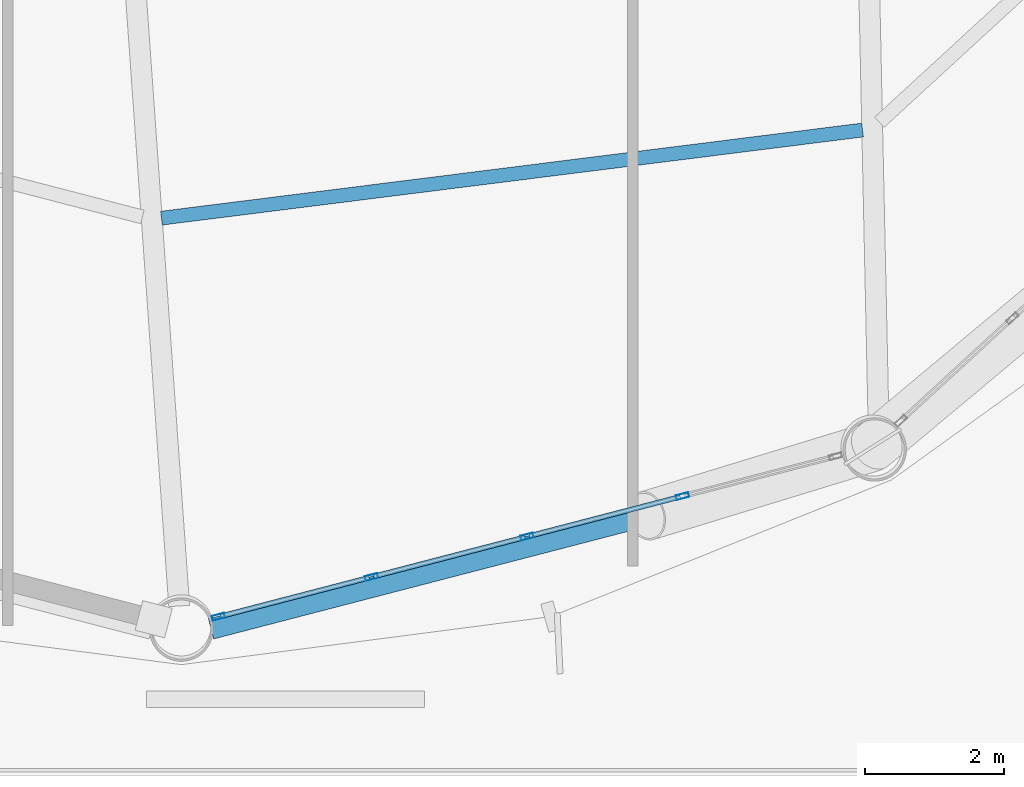
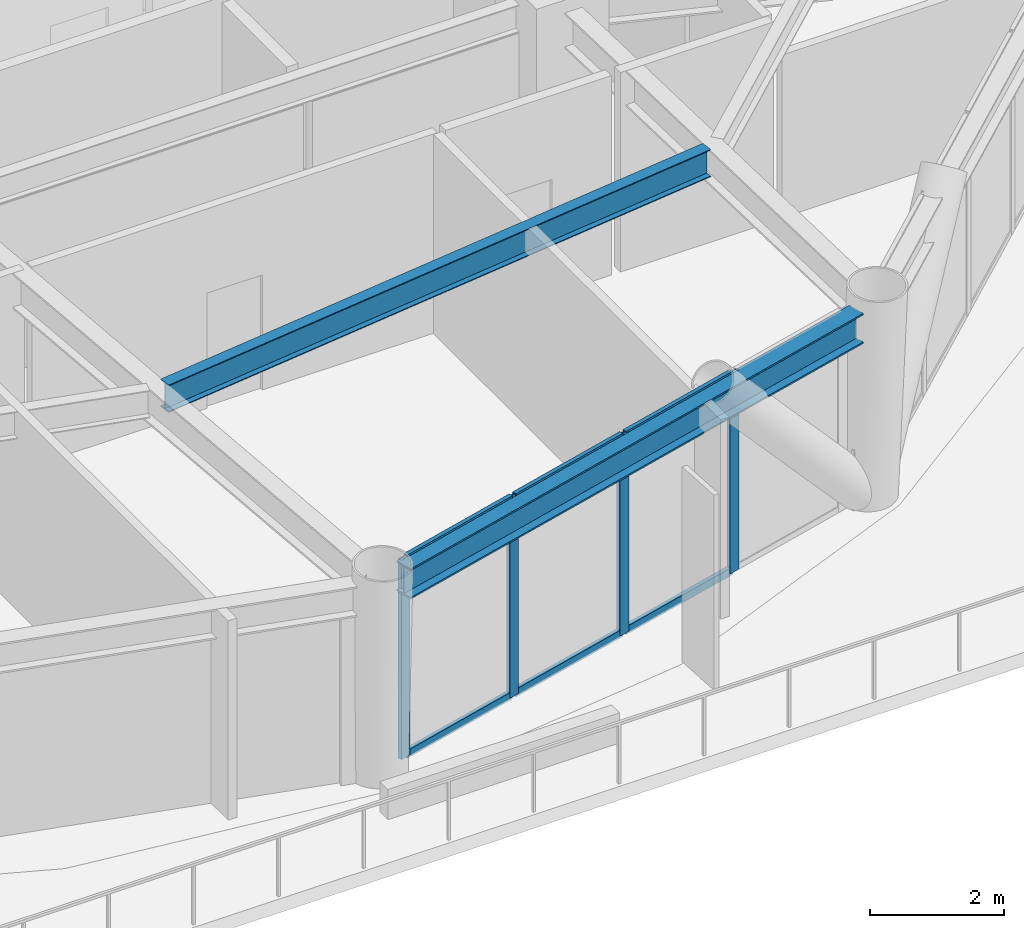
# One storey, part 5 of 24: 10 members, 2 beams, 1 element without a shape of its own.
"""IFC4 building model written with IfcOpenShell, lengths in metres."""

import ifcopenshell
import ifcopenshell.guid

model = None  # the IFC model being written
_history = None  # IfcOwnerHistory: only IFC2X3 demands one
_inside = {}  # id of a spatial element -> (the spatial element, [elements in it])
_under = {}  # id of a project, library or spatial element -> (it, [spatial elements below it])
_declared = {}  # id of a project -> (the project, [libraries it declares])
_typed = {}  # id of a type object -> (the type object, [elements of that type])
_made_of = {}  # id of a material, layer set ... -> (it, [elements and type objects made of it])


def new_model(schema):
    """Start an empty IFC model of exactly this schema.

    Asked for "IFC4X3", IfcOpenShell would pick the latest addendum, in which some entities
    have other attributes; the version numbers below select the first issue.
    IFC2X3 requires an IfcOwnerHistory on every rooted entity: one is made here for all.
    """
    global model, _history
    if schema == "IFC4X3":
        model = ifcopenshell.file(schema_version=(4, 3, 0, 0))
    else:
        model = ifcopenshell.file(schema=schema)
    _inside.clear()
    _under.clear()
    _declared.clear()
    _typed.clear()
    _made_of.clear()
    _history = None
    if model.schema == "IFC2X3":
        org = make("IfcOrganization", Name="unknown")
        user = make(
            "IfcPersonAndOrganization",
            ThePerson=make("IfcPerson", FamilyName="unknown"),
            TheOrganization=org,
        )
        app = make(
            "IfcApplication",
            ApplicationDeveloper=org,
            Version="unknown",
            ApplicationFullName="unknown",
            ApplicationIdentifier="unknown",
        )
        _history = make(
            "IfcOwnerHistory",
            OwningUser=user,
            OwningApplication=app,
            ChangeAction="ADDED",
            CreationDate=0,
        )
    return model


def make(cls, **values):
    """One entity of the class cls with the attributes given. An attribute that is None is left unset."""
    return model.create_entity(
        cls, **{name: value for name, value in values.items() if value is not None}
    )


def rooted(cls, **values):
    """An entity with a GlobalId (a new one), such as an element, a storey or a relation."""
    return make(cls, GlobalId=ifcopenshell.guid.new(), OwnerHistory=_history, **values)


def si_unit(unit_type, name, prefix=None):
    """IfcSIUnit, for example si_unit("LENGTHUNIT", "METRE", prefix="MILLI")."""
    return make("IfcSIUnit", UnitType=unit_type, Prefix=prefix, Name=name)


def assignment(units):
    """IfcUnitAssignment: the units of a project."""
    return None if units is None else make("IfcUnitAssignment", Units=units)


def point(xyz):
    """IfcCartesianPoint."""
    return None if xyz is None else make("IfcCartesianPoint", Coordinates=xyz)


def direction(xyz):
    """IfcDirection."""
    return None if xyz is None else make("IfcDirection", DirectionRatios=xyz)


def frame(location, z_axis=None, x_axis=None):
    """IfcAxis2Placement3D, a coordinate frame: its origin and axes. An axis left out is left unset."""
    return make(
        "IfcAxis2Placement3D",
        Location=point(location),
        Axis=direction(z_axis),
        RefDirection=direction(x_axis),
    )


def frame_2d(location, x_axis=None):
    """IfcAxis2Placement2D, a coordinate frame in the plane: its origin and x axis."""
    return make(
        "IfcAxis2Placement2D", Location=point(location), RefDirection=direction(x_axis)
    )


def origin():
    """The frame at (0, 0, 0) with its axes left unset."""
    return frame((0.0, 0.0, 0.0))


def origin_2d():
    """The frame at (0, 0) in the plane with its x axis left unset."""
    return frame_2d((0.0, 0.0))


def place(relative_to, where):
    """IfcLocalPlacement: puts the frame where relative to a parent placement (None: the world)."""
    return make(
        "IfcLocalPlacement", PlacementRelTo=relative_to, RelativePlacement=where
    )


def context(
    kind, dimensions, precision=None, world=None, true_north=None, identifier=None
):
    """IfcGeometricRepresentationContext, for example the 3D "Model" context."""
    return make(
        "IfcGeometricRepresentationContext",
        ContextIdentifier=identifier,
        ContextType=kind,
        CoordinateSpaceDimension=dimensions,
        Precision=precision,
        WorldCoordinateSystem=world,
        TrueNorth=true_north,
    )


def subcontext(parent, identifier, kind, view, scale=None):
    """IfcGeometricRepresentationSubContext, for example "Body" below "Model"."""
    return make(
        "IfcGeometricRepresentationSubContext",
        ContextIdentifier=identifier,
        ContextType=kind,
        ParentContext=parent,
        TargetScale=scale,
        TargetView=view,
    )


def project(units=None, contexts=None):
    """IfcProject with its units and contexts."""
    return rooted(
        "IfcProject",
        Name="project",
        RepresentationContexts=contexts,
        UnitsInContext=assignment(units),
    )


def spatial(cls, under=None, at=None, **own):
    """A site, building, storey or space (cls), placed at a placement, below another one or the project."""
    s = rooted(cls, ObjectPlacement=at, **own)
    if under is not None:
        _under.setdefault(under.id(), (under, []))[1].append(s)
    return s


def profile(cls, at=None, kind="AREA", **sizes):
    """A parametric profile (cls). Its sizes go by their IFC names, for example OverallWidth=200.0."""
    return make(cls, ProfileType=kind, Position=at, **sizes)


def hollow_rectangle(**sizes):
    """IfcRectangleHollowProfileDef."""
    return profile("IfcRectangleHollowProfileDef", **sizes)


def i_section(**sizes):
    """IfcIShapeProfileDef."""
    return profile("IfcIShapeProfileDef", **sizes)


def extrude(swept, where, along, depth):
    """IfcExtrudedAreaSolid: the profile swept, set in the frame where, extruded along a direction by depth."""
    return make(
        "IfcExtrudedAreaSolid",
        SweptArea=swept,
        Position=where,
        ExtrudedDirection=direction(along),
        Depth=depth,
    )


def shape(context_of_items, identifier, shape_type, items):
    """IfcShapeRepresentation: the items that make up one representation, for example the "Body"."""
    return make(
        "IfcShapeRepresentation",
        ContextOfItems=context_of_items,
        RepresentationIdentifier=identifier,
        RepresentationType=shape_type,
        Items=items,
    )


def material(Name=None, Category=None):
    """IfcMaterial."""
    return make("IfcMaterial", Name=Name, Category=Category)


def layer(
    of_material, thickness, ventilated=None, Name=None, Category=None, Priority=None
):
    """IfcMaterialLayer: one layer of a wall or slab, of a material (None: an air gap)."""
    return make(
        "IfcMaterialLayer",
        Material=of_material,
        LayerThickness=thickness,
        IsVentilated=ventilated,
        Name=Name,
        Category=Category,
        Priority=Priority,
    )


def layer_set(layers, Name=None):
    """IfcMaterialLayerSet."""
    return make("IfcMaterialLayerSet", MaterialLayers=layers, LayerSetName=Name)


def material_profile(
    of_material, cross_section, Name=None, Category=None, Priority=None
):
    """IfcMaterialProfile: a cross section and its material."""
    return make(
        "IfcMaterialProfile",
        Name=Name,
        Material=of_material,
        Profile=cross_section,
        Priority=Priority,
        Category=Category,
    )


def profile_set(profiles, Name=None, composite=None):
    """IfcMaterialProfileSet."""
    return make(
        "IfcMaterialProfileSet",
        Name=Name,
        MaterialProfiles=profiles,
        CompositeProfile=composite,
    )


def made_of(thing, what):
    """Note that an element or type object is made of a material, layer set ...; save() writes the relation."""
    if what is not None:
        _made_of.setdefault(what.id(), (what, []))[1].append(thing)
    return thing


def type_object(cls, material=None, **own):
    """A type object (cls), such as IfcWallType, which elements share."""
    return made_of(rooted(cls, **own), material)


def element(
    cls,
    number,
    at=None,
    inside=None,
    cuts=None,
    type_object=None,
    material=None,
    context=None,
    identifier="Body",
    shape_type=None,
    held_by="IfcProductDefinitionShape",
    body=None,
    shapes=None,
    **own,
):
    """One element of the class cls, such as IfcWall. Its Tag is "e" and its number.

    at: its placement. inside: the storey or other place that contains it. cuts: it is an
    opening in that element (IfcRelVoidsElement). A single representation is given by context,
    identifier, shape_type and body (its items); several are given by shapes. held_by: the class
    of the entity that holds the representations. save() writes the other relations.
    """
    e = rooted(cls, Tag="e%d" % number, ObjectPlacement=at, **own)
    if body is not None:
        shapes = [shape(context, identifier, shape_type, body)]
    if shapes is not None:
        e.Representation = make(held_by, Representations=shapes)
    if inside is not None:
        _inside.setdefault(inside.id(), (inside, []))[1].append(e)
    if cuts is not None:
        rooted(
            "IfcRelVoidsElement", RelatingBuildingElement=cuts, RelatedOpeningElement=e
        )
    if type_object is not None:
        _typed.setdefault(type_object.id(), (type_object, []))[1].append(e)
    return made_of(e, material)


def aggregate(whole, parts):
    """IfcRelAggregates: a whole, such as a stair, and the parts it consists of."""
    return rooted("IfcRelAggregates", RelatingObject=whole, RelatedObjects=parts)


def save(model, path):
    """Write the relations noted so far, then the file.

    IfcRelAggregates (storeys below a building ...), IfcRelContainedInSpatialStructure (elements
    in a storey), IfcRelDefinesByType, IfcRelAssociatesMaterial and IfcRelDeclares: one each for
    every whole, place, type object, material and project.
    """
    for whole, parts in _under.values():
        aggregate(whole, parts)
    for where, things in _inside.values():
        rooted(
            "IfcRelContainedInSpatialStructure",
            RelatedElements=things,
            RelatingStructure=where,
        )
    for kind, things in _typed.values():
        rooted("IfcRelDefinesByType", RelatedObjects=things, RelatingType=kind)
    for what, things in _made_of.values():
        rooted("IfcRelAssociatesMaterial", RelatedObjects=things, RelatingMaterial=what)
    for by, libraries in _declared.values():
        rooted("IfcRelDeclares", RelatingContext=by, RelatedDefinitions=libraries)
    model.write(path)


model = new_model("IFC4")

# Units and contexts
model_context = context("Model", 3, precision=1e-05, world=origin(), true_north=direction((0.0, 1.0)))
body_context = subcontext(model_context, "Body", "Model", "MODEL_VIEW")
ifc_project = project(units=[si_unit("LENGTHUNIT", "METRE"), si_unit("AREAUNIT", "SQUARE_METRE"), si_unit("VOLUMEUNIT", "CUBIC_METRE"), si_unit("PLANEANGLEUNIT", "RADIAN"), si_unit("MASSUNIT", "GRAM", prefix="KILO")], contexts=[model_context])

# Site, building, storey
site_placement = place(None, origin())
site = spatial("IfcSite", under=ifc_project, at=site_placement, CompositionType="ELEMENT")
building_placement = place(site_placement, origin())
building = spatial("IfcBuilding", under=site, at=building_placement, Name="Varnakorn Sky Granary", CompositionType="ELEMENT")
storey_placement = place(building_placement, frame((0.0, 0.0, 27.60009765625)))
storey = spatial("IfcBuildingStorey", under=building, at=storey_placement, Name="L06", CompositionType="ELEMENT", Elevation=27.60009765625)

# Beams
ifc_material_1 = material(Name="Steel S355JR", Category="steel")
ifc_material_profile_1 = material_profile(ifc_material_1, i_section(OverallWidth=0.199951171875, OverallDepth=0.5, WebThickness=0.01025390625, FlangeThickness=0.01611328125, at=origin_2d()), Name="IPE 500")
ifc_profile_set_1 = profile_set([ifc_material_profile_1], Name="Steel S355JR")
beam_type_1 = type_object("IfcBeamType", Name="BM-SEC-Z1", PredefinedType="BEAM", material=ifc_profile_set_1)
beam_1_placement = place(storey_placement, frame((-1.786865234375, -12.569580078125, 3.389892578125), z_axis=(0.992193136743, 0.124710783017, 0.0), x_axis=(-0.124710783017, 0.992193136743, 0.0)))
element("IfcBeam", 1, at=beam_1_placement, inside=storey, type_object=beam_type_1, Name="Secondary Floor Chord Beam MSB10 L06", PredefinedType="BEAM", context=body_context, shape_type="SweptSolid", body=[
    extrude(i_section(OverallWidth=0.199951171875, OverallDepth=0.5, WebThickness=0.01025390625, FlangeThickness=0.01611328125, at=origin_2d()), origin(), (0.0, 0.0, 1.0), 10.177734375),
])
ifc_material_profile_2 = material_profile(ifc_material_1, i_section(OverallWidth=0.300048828125, OverallDepth=0.550048828125, WebThickness=0.014892578125, FlangeThickness=0.029052734375, at=origin_2d()), Name="HE 550 B")
ifc_profile_set_2 = profile_set([ifc_material_profile_2], Name="Steel S355JR")
beam_type_2 = type_object("IfcBeamType", Name="BM-SPD-Z1", PredefinedType="SPANDREL", material=ifc_profile_set_2)
beam_2_placement = place(storey_placement, frame((-1.072265625, -18.485107421875, 3.364990234375), z_axis=(0.967937681729, 0.251190454215, 0.0), x_axis=(-0.251190454215, 0.967937681729, 0.0)))
element("IfcBeam", 2, at=beam_2_placement, inside=storey, type_object=beam_type_2, Name="Perimeter Spandrel Ring Beam RB10 L06", PredefinedType="SPANDREL", context=body_context, shape_type="SweptSolid", body=[
    extrude(i_section(OverallWidth=0.300048828125, OverallDepth=0.550048828125, WebThickness=0.014892578125, FlangeThickness=0.029052734375, at=origin_2d()), origin(), (0.0, 0.0, 1.0), 9.500732421875),
])

# Curtain wall, members
ifc_material_2 = material(Name="Anodised Bronze Aluminium Alloy 6063-T6", Category="aluminium")
ifc_layer = layer(ifc_material_2, 0.18994140625, Name="Anodised Bronze Aluminium Alloy 6063-T6")
ifc_layer_set = layer_set([ifc_layer], Name="Anodised Bronze Aluminium Alloy 6063-T6")
curtain_wall_type = type_object("IfcCurtainWallType", Name="CW-FRM-1", PredefinedType="USERDEFINED", material=ifc_layer_set)
curtain_wall_placement = place(storey_placement, origin())
curtain_wall = element("IfcCurtainWall", 3, at=curtain_wall_placement, inside=storey, type_object=curtain_wall_type, Name="Unitised Curtain Wall CW3 CW-L06-B10", ObjectType="CURTAIN WALL", PredefinedType="USERDEFINED")
ifc_material_profile_3 = material_profile(ifc_material_2, hollow_rectangle(XDim=0.070068359375, YDim=0.18505859375, WallThickness=0.00390625, at=origin_2d()), Name="ALU MULL 70x185")
ifc_profile_set_3 = profile_set([ifc_material_profile_3], Name="Anodised Bronze Aluminium Alloy 6063-T6")
member_type_1 = type_object("IfcMemberType", Name="CW-FRM-1-MULL", PredefinedType="MULLION", material=ifc_profile_set_3)
member_1_placement = place(storey_placement, frame((5.718017578125, -16.573486328125, 0.0), z_axis=(0.0, 0.0, 1.0), x_axis=(0.251609357822, -0.967828874883, 0.0)))
member_1 = element("IfcMember", 4, at=member_1_placement, type_object=member_type_1, Name="CW3 mullion 2", PredefinedType="MULLION", context=body_context, shape_type="SweptSolid", body=[
    extrude(hollow_rectangle(XDim=0.070068359375, YDim=0.18505859375, WallThickness=0.00390625, at=origin_2d()), origin(), (0.0, 0.0, 1.0), 3.639892578125),
])
member_2_placement = place(storey_placement, frame((3.478759765625, -17.15576171875, 0.0), z_axis=(0.0, 0.0, 1.0), x_axis=(0.251609357822, -0.967828874883, 0.0)))
member_2 = element("IfcMember", 5, at=member_2_placement, type_object=member_type_1, Name="CW3 mullion 3", PredefinedType="MULLION", context=body_context, shape_type="SweptSolid", body=[
    extrude(hollow_rectangle(XDim=0.070068359375, YDim=0.18505859375, WallThickness=0.00390625, at=origin_2d()), origin(), (0.0, 0.0, 1.0), 3.639892578125),
])
member_3_placement = place(storey_placement, frame((1.239501953125, -17.73779296875, 0.0), z_axis=(0.0, 0.0, 1.0), x_axis=(0.251609357822, -0.967828874883, 0.0)))
member_3 = element("IfcMember", 6, at=member_3_placement, type_object=member_type_1, Name="CW3 mullion 4", PredefinedType="MULLION", context=body_context, shape_type="SweptSolid", body=[
    extrude(hollow_rectangle(XDim=0.070068359375, YDim=0.18505859375, WallThickness=0.00390625, at=origin_2d()), origin(), (0.0, 0.0, 1.0), 3.639892578125),
])
member_4_placement = place(storey_placement, frame((-0.9658203125, -18.31103515625, 0.0), z_axis=(0.0, 0.0, 1.0), x_axis=(0.251609357822, -0.967828874883, 0.0)))
member_4 = element("IfcMember", 7, at=member_4_placement, type_object=member_type_1, Name="CW3 mullion 5", PredefinedType="MULLION", context=body_context, shape_type="SweptSolid", body=[
    extrude(hollow_rectangle(XDim=0.070068359375, YDim=0.18505859375, WallThickness=0.00390625, at=origin_2d()), origin(), (0.0, 0.0, 1.0), 3.639892578125),
])
ifc_material_profile_4 = material_profile(ifc_material_2, hollow_rectangle(XDim=0.070068359375, YDim=0.139892578125, WallThickness=0.00341796875, at=origin_2d()), Name="ALU TRAN 70x140")
ifc_profile_set_4 = profile_set([ifc_material_profile_4], Name="Anodised Bronze Aluminium Alloy 6063-T6")
member_type_2 = type_object("IfcMemberType", Name="CW-FRM-1-TRAN", PredefinedType="USERDEFINED", material=ifc_profile_set_4)
member_5_placement = place(storey_placement, frame((5.68408203125, -16.582275390625, 0.034912109375), z_axis=(-0.96783416636, -0.251589002993, 0.0), x_axis=(0.251589002993, -0.96783416636, 0.0)))
member_5 = element("IfcMember", 8, at=member_5_placement, type_object=member_type_2, Name="CW3 transom 2.1", ObjectType="TRANSOM", PredefinedType="USERDEFINED", context=body_context, shape_type="SweptSolid", body=[
    extrude(hollow_rectangle(XDim=0.070068359375, YDim=0.139892578125, WallThickness=0.00341796875, at=origin_2d()), origin(), (0.0, 0.0, 1.0), 2.24365234375),
])
member_6_placement = place(storey_placement, frame((5.68408203125, -16.582275390625, 3.60498046875), z_axis=(-0.96783416636, -0.251589002993, 0.0), x_axis=(0.251589002993, -0.96783416636, 0.0)))
member_6 = element("IfcMember", 9, at=member_6_placement, type_object=member_type_2, Name="CW3 transom 2.2", ObjectType="TRANSOM", PredefinedType="USERDEFINED", context=body_context, shape_type="SweptSolid", body=[
    extrude(hollow_rectangle(XDim=0.070068359375, YDim=0.139892578125, WallThickness=0.00341796875, at=origin_2d()), origin(), (0.0, 0.0, 1.0), 2.24365234375),
])
member_7_placement = place(storey_placement, frame((3.44482421875, -17.16455078125, 0.034912109375), z_axis=(-0.96783416636, -0.251589002993, 0.0), x_axis=(0.251589002993, -0.96783416636, 0.0)))
member_7 = element("IfcMember", 10, at=member_7_placement, type_object=member_type_2, Name="CW3 transom 3.1", ObjectType="TRANSOM", PredefinedType="USERDEFINED", context=body_context, shape_type="SweptSolid", body=[
    extrude(hollow_rectangle(XDim=0.070068359375, YDim=0.139892578125, WallThickness=0.00341796875, at=origin_2d()), origin(), (0.0, 0.0, 1.0), 2.24365234375),
])
member_8_placement = place(storey_placement, frame((3.44482421875, -17.16455078125, 3.60498046875), z_axis=(-0.96783416636, -0.251589002993, 0.0), x_axis=(0.251589002993, -0.96783416636, 0.0)))
member_8 = element("IfcMember", 11, at=member_8_placement, type_object=member_type_2, Name="CW3 transom 3.2", ObjectType="TRANSOM", PredefinedType="USERDEFINED", context=body_context, shape_type="SweptSolid", body=[
    extrude(hollow_rectangle(XDim=0.070068359375, YDim=0.139892578125, WallThickness=0.00341796875, at=origin_2d()), origin(), (0.0, 0.0, 1.0), 2.24365234375),
])
member_9_placement = place(storey_placement, frame((1.205810546875, -17.74658203125, 0.034912109375), z_axis=(-0.967837579781, -0.251575871583, 0.0), x_axis=(0.251575871583, -0.967837579781, 0.0)))
member_9 = element("IfcMember", 12, at=member_9_placement, type_object=member_type_2, Name="CW3 transom 4.1", ObjectType="TRANSOM", PredefinedType="USERDEFINED", context=body_context, shape_type="SweptSolid", body=[
    extrude(hollow_rectangle(XDim=0.070068359375, YDim=0.139892578125, WallThickness=0.00341796875, at=origin_2d()), origin(), (0.0, 0.0, 1.0), 2.208740234375),
])
member_10_placement = place(storey_placement, frame((1.205810546875, -17.74658203125, 3.60498046875), z_axis=(-0.967837579781, -0.251575871583, 0.0), x_axis=(0.251575871583, -0.967837579781, 0.0)))
member_10 = element("IfcMember", 13, at=member_10_placement, type_object=member_type_2, Name="CW3 transom 4.2", ObjectType="TRANSOM", PredefinedType="USERDEFINED", context=body_context, shape_type="SweptSolid", body=[
    extrude(hollow_rectangle(XDim=0.070068359375, YDim=0.139892578125, WallThickness=0.00341796875, at=origin_2d()), origin(), (0.0, 0.0, 1.0), 2.208740234375),
])
aggregate(curtain_wall, [member_1, member_2, member_3, member_4, member_5, member_6, member_7, member_8, member_9, member_10])

save(model, "model.ifc")
